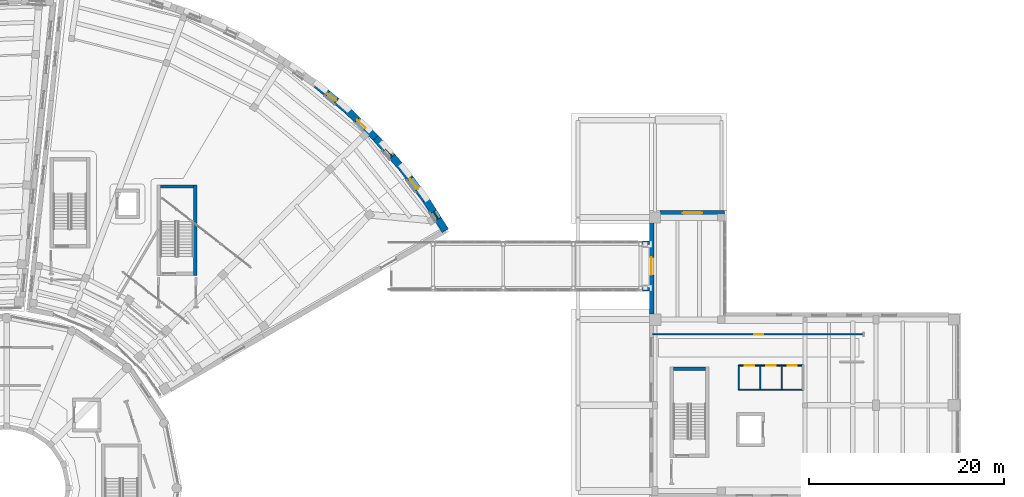
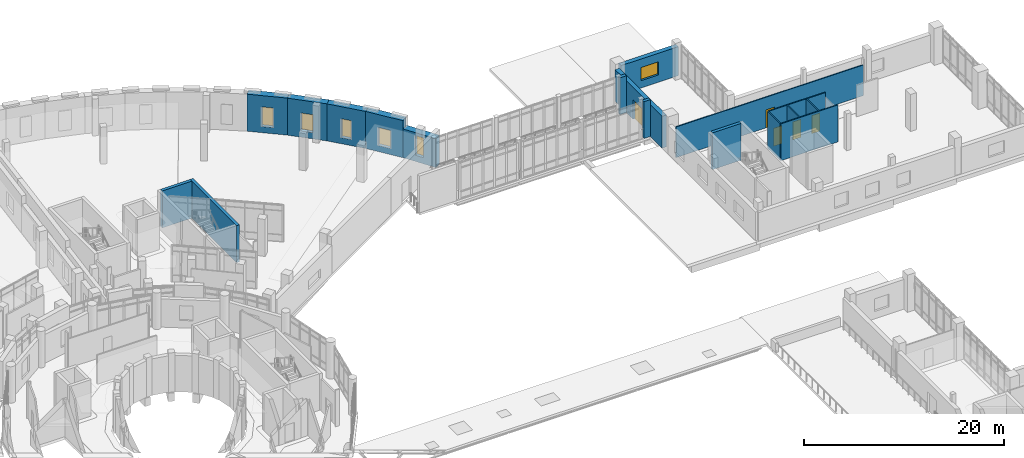
# One storey, part 58 of 75: 18 walls, 6 windows, 5 doors, 11 openings.
"""IFC4 building model written with IfcOpenShell, lengths in metres."""

from ifc_helpers import new_model, si_unit, direction, frame, frame_2d, origin, place, context, subcontext, project, spatial, rectangle, extrude, material, layer, layer_set, type_object, element, fill, save


model = new_model("IFC4")

# Units and contexts
model_context = context("Model", 3, precision=1e-05, world=origin(), true_north=direction((0.0, 1.0)))
body_context = subcontext(model_context, "Body", "Model", "MODEL_VIEW")
ifc_project = project(units=[si_unit("LENGTHUNIT", "METRE"), si_unit("AREAUNIT", "SQUARE_METRE"), si_unit("VOLUMEUNIT", "CUBIC_METRE"), si_unit("PLANEANGLEUNIT", "RADIAN"), si_unit("MASSUNIT", "GRAM", prefix="KILO")], contexts=[model_context])

# Site, building, storey
site_placement = place(None, origin())
site = spatial("IfcSite", under=ifc_project, at=site_placement, CompositionType="ELEMENT")
building_placement = place(site_placement, origin())
building = spatial("IfcBuilding", under=site, at=building_placement, Name="Soyqirgoq Riverine Aquarium", CompositionType="ELEMENT")
storey_placement = place(building_placement, frame((0.0, 0.0, 10.199951171875)))
storey = spatial("IfcBuildingStorey", under=building, at=storey_placement, Name="L03", CompositionType="ELEMENT", Elevation=10.199951171875)

# Walls
ifc_material_1 = material(Name="Insulated composite rainscreen panel", Category="steel")
ifc_layer_1 = layer(ifc_material_1, 0.360107421875)
ifc_layer_set_1 = layer_set([ifc_layer_1], Name="Insulated composite rainscreen panel")
wall_type_1 = type_object("IfcWallType", Name="BridgeSpandrelWall_360", PredefinedType="SOLIDWALL", material=ifc_layer_set_1)
for number, where, z_axis, x_axis, name in (
    (1, (121.280029296875, 77.39990234375, 0.0), (0.0, 0.0, 1.0), (1.0, 0.0, 0.0), "BR-2 L03 Exterior Travertine Wall 0405"),
    (2, (121.280029296875, 82.199951171875, 0.0), (0.0, 0.0, 1.0), (1.0, 0.0, 0.0), "BR-2 L03 Exterior Travertine Wall 0406"),
):
    element("IfcWall", number, at=place(storey_placement, frame(where, z_axis=z_axis, x_axis=x_axis)), inside=storey, type_object=wall_type_1, Name=name, PredefinedType="SOLIDWALL", context=body_context, shape_type="SweptSolid", body=[
        extrude(rectangle(XDim=0.719970703125, YDim=0.360107421875, at=frame_2d((0.35986328125, 0.0))), origin(), (0.0, 0.0, 1.0), 4.5),
    ])
ifc_material_2 = material(Name="Concrete C40/50", Category="concrete")
ifc_layer_2 = layer(ifc_material_2, 0.35009765625)
ifc_layer_set_2 = layer_set([ifc_layer_2], Name="Concrete C40/50")
wall_type_2 = type_object("IfcWallType", Name="CoreShearWall_350_C40", PredefinedType="SHEAR", material=ifc_layer_set_2)
wall_1_placement = place(storey_placement, frame((75.375, 78.85009765625, 0.0), z_axis=(0.0, 0.0, 1.0), x_axis=(0.0, 1.0, 0.0)))
element("IfcWall", 3, at=wall_1_placement, inside=storey, type_object=wall_type_2, Name="CORE-5B L03 Stair Core Shear Wall SIDE1", PredefinedType="SHEAR", context=body_context, shape_type="SweptSolid", body=[
    extrude(rectangle(XDim=9.2998046875, YDim=0.35009765625, at=frame_2d((4.64990234375, 0.0))), origin(), (0.0, 0.0, 1.0), 4.52001953125),
])
wall_2_placement = place(storey_placement, frame((75.199951171875, 87.97509765625, 0.0), z_axis=(0.0, 0.0, 1.0), x_axis=(-1.0, 0.0, 0.0)))
element("IfcWall", 4, at=wall_2_placement, inside=storey, type_object=wall_type_2, Name="CORE-5B L03 Stair Core Shear Wall BACK", PredefinedType="SHEAR", context=body_context, shape_type="SweptSolid", body=[
    extrude(rectangle(XDim=3.39990234375, YDim=0.35009765625, at=frame_2d((1.699951171875, 0.0))), origin(), (0.0, 0.0, 1.0), 4.52001953125),
])
wall_3_placement = place(storey_placement, frame((127.800048828125, 69.27490234375, 0.0), z_axis=(0.0, 0.0, 1.0), x_axis=(-1.0, 0.0, 0.0)))
element("IfcWall", 5, at=wall_3_placement, inside=storey, type_object=wall_type_2, Name="CORE-7 L03 Stair Core Shear Wall BACK", PredefinedType="SHEAR", context=body_context, shape_type="SweptSolid", body=[
    extrude(rectangle(XDim=3.300048828125, YDim=0.35009765625, at=frame_2d((1.64990234375, 0.0))), origin(), (0.0, 0.0, 1.0), 4.5),
])

# Wall, opening, door
ifc_material_3 = material(Name="Lightweight steel-stud gypsum partition", Category="steel")
ifc_layer_3 = layer(ifc_material_3, 0.1201171875)
ifc_layer_set_3 = layer_set([ifc_layer_3], Name="Lightweight steel-stud gypsum partition")
wall_type_3 = type_object("IfcWallType", Name="PartitionWall_120_Std", PredefinedType="PARTITIONING", material=ifc_layer_set_3)
wall_4_placement = place(storey_placement, frame((144.0, 72.800048828125, 0.0), z_axis=(0.0, 0.0, 1.0), x_axis=(-1.0, 0.0, 0.0)))
wall_4 = element("IfcWall", 6, at=wall_4_placement, inside=storey, type_object=wall_type_3, Name="Veterinary Bridge Foyer Corridor Partition Wall", PredefinedType="PARTITIONING", context=body_context, shape_type="SweptSolid", body=[
    extrude(rectangle(XDim=21.6298828125, YDim=0.1201171875, at=frame_2d((10.81494140625, 0.0))), origin(), (0.0, 0.0, 1.0), 3.739990234375),
])
opening_1_placement = place(wall_4_placement, frame((10.27490234375, 0.0, 0.0)))
opening_1 = element("IfcOpeningElement", 7, at=opening_1_placement, cuts=wall_4, Name="Opening ID-06", PredefinedType="OPENING", context=body_context, shape_type="SweptSolid", body=[
    extrude(rectangle(XDim=0.949951171875, YDim=2.199951171875, at=frame_2d((0.47509765625, 1.10009765625))), frame((0.0, 0.070068359375, 0.0), z_axis=(0.0, -1.0, 0.0), x_axis=(1.0, 0.0, 0.0)), (0.0, 0.0, 1.0), 0.14013671875),
])
ifc_material_4 = material(Name="Moisture-resistant HPL washroom door", Category="wood")
door_type_1 = type_object("IfcDoorType", Name="WCDoor_950x2200", OperationType="NOTDEFINED", PredefinedType="DOOR", material=ifc_material_4)
door_1_placement = place(opening_1_placement, origin())
door_1 = element("IfcDoor", 8, at=door_1_placement, inside=storey, type_object=door_type_1, Name="IDR-V7-L03-0237 Veterinary Bridge Foyer Corridor Access Door", OperationType="SINGLE_SWING_RIGHT", OverallHeight=2.199951171875, OverallWidth=0.949951171875, PredefinedType="DOOR", context=body_context, shape_type="SweptSolid", body=[
    extrude(rectangle(XDim=0.949951171875, YDim=2.199951171875, at=frame_2d((0.47509765625, 1.10009765625))), frame((0.0, 0.02490234375, 0.0), z_axis=(0.0, -1.0, 0.0), x_axis=(1.0, 0.0, 0.0)), (0.0, 0.0, 1.0), 0.050048828125),
])
fill(opening_1, door_1)

# Wall, openings, doors
ifc_material_5 = material(Name="Moisture-resistant cement-board wet-room partition", Category="gypsum")
ifc_layer_4 = layer(ifc_material_5, 0.125)
ifc_layer_set_4 = layer_set([ifc_layer_4], Name="Moisture-resistant cement-board wet-room partition")
wall_type_4 = type_object("IfcWallType", Name="PartitionWall_125_Wet", PredefinedType="PARTITIONING", material=ifc_layer_set_4)
wall_5_placement = place(storey_placement, frame((131.199951171875, 69.60009765625, 0.0), z_axis=(0.0, 0.0, 1.0), x_axis=(1.0, 0.0, 0.0)))
wall_5 = element("IfcWall", 9, at=wall_5_placement, inside=storey, type_object=wall_type_4, Name="V7 L03 WC Suite Front Wall", PredefinedType="PARTITIONING", context=body_context, shape_type="SweptSolid", body=[
    extrude(rectangle(XDim=6.60009765625, YDim=0.125, at=frame_2d((3.300048828125, 0.0))), origin(), (0.0, 0.0, 1.0), 4.5),
])
opening_2_placement = place(wall_5_placement, frame((0.60009765625, 0.0, 0.0)))
opening_2 = element("IfcOpeningElement", 10, at=opening_2_placement, cuts=wall_5, Name="Opening ID-05", PredefinedType="OPENING", context=body_context, shape_type="SweptSolid", body=[
    extrude(rectangle(XDim=1.0, YDim=2.199951171875, at=frame_2d((0.5, 1.10009765625))), frame((0.0, 0.072509765625, 0.0), z_axis=(0.0, -1.0, 0.0), x_axis=(1.0, 0.0, 0.0)), (0.0, 0.0, 1.0), 0.14501953125),
])
opening_3_placement = place(wall_5_placement, frame((2.824951171875, 0.0, 0.0)))
opening_3 = element("IfcOpeningElement", 11, at=opening_3_placement, cuts=wall_5, Name="Opening ID-06", PredefinedType="OPENING", context=body_context, shape_type="SweptSolid", body=[
    extrude(rectangle(XDim=0.949951171875, YDim=2.199951171875, at=frame_2d((0.47509765625, 1.10009765625))), frame((0.0, 0.072509765625, 0.0), z_axis=(0.0, -1.0, 0.0), x_axis=(1.0, 0.0, 0.0)), (0.0, 0.0, 1.0), 0.14501953125),
])
opening_4_placement = place(wall_5_placement, frame((5.02490234375, 0.0, 0.0)))
opening_4 = element("IfcOpeningElement", 12, at=opening_4_placement, cuts=wall_5, Name="Opening ID-06", PredefinedType="OPENING", context=body_context, shape_type="SweptSolid", body=[
    extrude(rectangle(XDim=0.949951171875, YDim=2.199951171875, at=frame_2d((0.47509765625, 1.10009765625))), frame((0.0, 0.072509765625, 0.0), z_axis=(0.0, -1.0, 0.0), x_axis=(1.0, 0.0, 0.0)), (0.0, 0.0, 1.0), 0.14501953125),
])
ifc_material_6 = material(Name="Moisture-resistant HPL accessible washroom door", Category="wood")
door_type_2 = type_object("IfcDoorType", Name="AccessibleWCDoor_1000x2200", OperationType="NOTDEFINED", PredefinedType="DOOR", material=ifc_material_6)
door_2_placement = place(opening_2_placement, origin())
door_2 = element("IfcDoor", 13, at=door_2_placement, inside=storey, type_object=door_type_2, Name="IDR-V7-L03-0233 Accessible WC Door", OperationType="SINGLE_SWING_LEFT", OverallHeight=2.199951171875, OverallWidth=1.0, PredefinedType="DOOR", context=body_context, shape_type="SweptSolid", body=[
    extrude(rectangle(XDim=1.0, YDim=2.199951171875, at=frame_2d((0.5, 1.10009765625))), frame((0.0, 0.02490234375, 0.0), z_axis=(0.0, -1.0, 0.0), x_axis=(1.0, 0.0, 0.0)), (0.0, 0.0, 1.0), 0.050048828125),
])
fill(opening_2, door_2)
door_3_placement = place(opening_3_placement, origin())
door_3 = element("IfcDoor", 14, at=door_3_placement, inside=storey, type_object=door_type_1, Name="IDR-V7-L03-0234 Public Female WC Door", OperationType="SINGLE_SWING_RIGHT", OverallHeight=2.199951171875, OverallWidth=0.949951171875, PredefinedType="DOOR", context=body_context, shape_type="SweptSolid", body=[
    extrude(rectangle(XDim=0.949951171875, YDim=2.199951171875, at=frame_2d((0.47509765625, 1.10009765625))), frame((0.0, 0.02490234375, 0.0), z_axis=(0.0, -1.0, 0.0), x_axis=(1.0, 0.0, 0.0)), (0.0, 0.0, 1.0), 0.050048828125),
])
fill(opening_3, door_3)
door_4_placement = place(opening_4_placement, origin())
door_4 = element("IfcDoor", 15, at=door_4_placement, inside=storey, type_object=door_type_1, Name="IDR-V7-L03-0235 Public Male WC Door", OperationType="SINGLE_SWING_LEFT", OverallHeight=2.199951171875, OverallWidth=0.949951171875, PredefinedType="DOOR", context=body_context, shape_type="SweptSolid", body=[
    extrude(rectangle(XDim=0.949951171875, YDim=2.199951171875, at=frame_2d((0.47509765625, 1.10009765625))), frame((0.0, 0.02490234375, 0.0), z_axis=(0.0, -1.0, 0.0), x_axis=(1.0, 0.0, 0.0)), (0.0, 0.0, 1.0), 0.050048828125),
])
fill(opening_4, door_4)

# Walls
wall_6_placement = place(storey_placement, frame((131.199951171875, 67.10009765625, 0.0), z_axis=(0.0, 0.0, 1.0), x_axis=(1.0, 0.0, 0.0)))
element("IfcWall", 16, at=wall_6_placement, inside=storey, type_object=wall_type_4, Name="V7 L03 WC Suite Back Wall", PredefinedType="PARTITIONING", context=body_context, shape_type="SweptSolid", body=[
    extrude(rectangle(XDim=6.60009765625, YDim=0.125, at=frame_2d((3.300048828125, 0.0))), origin(), (0.0, 0.0, 1.0), 4.5),
])
for number, where, z_axis, x_axis, name in (
    (17, (131.199951171875, 67.10009765625, 0.0), (0.0, 0.0, 1.0), (0.0, 1.0, 0.0), "V7 L03 WC Suite West Wall"),
    (18, (133.39990234375, 67.10009765625, 0.0), (0.0, 0.0, 1.0), (0.0, 1.0, 0.0), "V7 L03 WC Cubicle Divider 1"),
    (19, (135.60009765625, 67.10009765625, 0.0), (0.0, 0.0, 1.0), (0.0, 1.0, 0.0), "V7 L03 WC Cubicle Divider 2"),
):
    element("IfcWall", number, at=place(storey_placement, frame(where, z_axis=z_axis, x_axis=x_axis)), inside=storey, type_object=wall_type_4, Name=name, PredefinedType="PARTITIONING", context=body_context, shape_type="SweptSolid", body=[
        extrude(rectangle(XDim=2.5, YDim=0.125, at=frame_2d((1.25, 0.0))), origin(), (0.0, 0.0, 1.0), 4.5),
    ])

# Wall, opening, door
ifc_material_7 = material(Name="Honed travertine limestone cavity wall", Category="masonry")
ifc_layer_5 = layer(ifc_material_7, 0.5)
ifc_layer_set_5 = layer_set([ifc_layer_5], Name="Honed travertine limestone cavity wall")
wall_type_5 = type_object("IfcWallType", Name="TravertineCavityWall_500", PredefinedType="SOLIDWALL", material=ifc_layer_set_5)
wall_7_placement = place(storey_placement, frame((122.25, 74.8701171875, 0.0), z_axis=(0.0, 0.0, 1.0), x_axis=(0.0, 1.0, 0.0)))
wall_7 = element("IfcWall", 20, at=wall_7_placement, inside=storey, type_object=wall_type_5, Name="V7 L03 Exterior Travertine Wall 0389", PredefinedType="SOLIDWALL", context=body_context, shape_type="SweptSolid", body=[
    extrude(rectangle(XDim=9.409912109375, YDim=0.5, at=frame_2d((4.705078125, 0.0))), origin(), (0.0, 0.0, 1.0), 3.89013671875),
])
opening_5_placement = place(wall_7_placement, frame((4.030029296875, 0.0, 0.0)))
opening_5 = element("IfcOpeningElement", 21, at=opening_5_placement, cuts=wall_7, Name="Opening BD-01", PredefinedType="OPENING", context=body_context, shape_type="SweptSolid", body=[
    extrude(rectangle(XDim=1.800048828125, YDim=2.39990234375, at=frame_2d((0.89990234375, 1.199951171875))), frame((0.0, 0.260009765625, 0.0), z_axis=(0.0, -1.0, 0.0), x_axis=(1.0, 0.0, 0.0)), (0.0, 0.0, 1.0), 0.52001953125),
])
ifc_material_8 = material(Name="Thermally broken aluminium fire-rated portal door", Category="aluminium")
door_type_3 = type_object("IfcDoorType", Name="BridgePortalDoor_1800x2400", OperationType="DOUBLE_DOOR_SINGLE_SWING", PredefinedType="DOOR", material=ifc_material_8)
door_5_placement = place(opening_5_placement, origin())
door_5 = element("IfcDoor", 22, at=door_5_placement, inside=storey, type_object=door_type_3, Name="EDR-BR-2-E-038 BR-2-E Glazed Bridge Portal Fire Door", OperationType="DOUBLE_DOOR_SINGLE_SWING", OverallHeight=2.39990234375, OverallWidth=1.800048828125, PredefinedType="DOOR", context=body_context, shape_type="SweptSolid", body=[
    extrude(rectangle(XDim=1.800048828125, YDim=2.39990234375, at=frame_2d((0.89990234375, 1.199951171875))), frame((0.0, 0.02490234375, 0.0), z_axis=(0.0, -1.0, 0.0), x_axis=(1.0, 0.0, 0.0)), (0.0, 0.0, 1.0), 0.050048828125),
])
fill(opening_5, door_5)

# Wall, opening, window
wall_8_placement = place(storey_placement, frame((123.1201171875, 85.25, 0.0), z_axis=(0.0, 0.0, 1.0), x_axis=(1.0, 0.0, 0.0)))
wall_8 = element("IfcWall", 23, at=wall_8_placement, inside=storey, type_object=wall_type_5, Name="V7 L03 Exterior Travertine Wall 0390", PredefinedType="SOLIDWALL", context=body_context, shape_type="SweptSolid", body=[
    extrude(rectangle(XDim=6.6298828125, YDim=0.5, at=frame_2d((3.31494140625, 0.0))), origin(), (0.0, 0.0, 1.0), 3.5400390625),
])
opening_6_placement = place(wall_8_placement, frame((2.31494140625, 0.0, 0.89990234375)))
opening_6 = element("IfcOpeningElement", 24, at=opening_6_placement, cuts=wall_8, Name="Opening WN-07", PredefinedType="OPENING", context=body_context, shape_type="SweptSolid", body=[
    extrude(rectangle(XDim=2.0, YDim=1.60009765625, at=frame_2d((1.0, 0.800048828125))), frame((0.0, 0.260009765625, 0.0), z_axis=(0.0, -1.0, 0.0), x_axis=(1.0, 0.0, 0.0)), (0.0, 0.0, 1.0), 0.52001953125),
])
ifc_material_9 = material(Name="Thermally broken aluminium triple low-E window", Category="aluminium")
window_type_1 = type_object("IfcWindowType", Name="Win_Lab_2000x1600", PartitioningType="TRIPLE_PANEL_VERTICAL", PredefinedType="WINDOW", material=ifc_material_9)
window_1_placement = place(opening_6_placement, origin())
window_1 = element("IfcWindow", 25, at=window_1_placement, inside=storey, type_object=window_type_1, Name="V7 L03 Facade Window 0352", OverallHeight=1.60009765625, OverallWidth=2.0, PartitioningType="TRIPLE_PANEL_VERTICAL", PredefinedType="WINDOW", context=body_context, shape_type="SweptSolid", body=[
    extrude(rectangle(XDim=2.0, YDim=1.60009765625, at=frame_2d((1.0, 0.800048828125))), frame((0.0, 0.030029296875, 0.0), z_axis=(0.0, -1.0, 0.0), x_axis=(1.0, 0.0, 0.0)), (0.0, 0.0, 1.0), 0.06005859375),
])
fill(opening_6, window_1)

ifc_material_10 = material(Name="Honed travertine limestone cavity wall", Category="masonry")
ifc_layer_6 = layer(ifc_material_10, 0.75)
ifc_layer_set_6 = layer_set([ifc_layer_6], Name="Honed travertine limestone cavity wall")
wall_type_6 = type_object("IfcWallType", Name="TravertineNicheWall_750", PredefinedType="SOLIDWALL", material=ifc_layer_set_6)
wall_9_placement = place(storey_placement, frame((87.8076171875, 98.45263671875, 0.0), z_axis=(0.0, 0.0, 1.0), x_axis=(0.768825758313, -0.639458328083, 0.0)))
wall_9 = element("IfcWall", 26, at=wall_9_placement, inside=storey, type_object=wall_type_6, Name="V5 L03 Exterior Travertine Wall 0293", PredefinedType="SOLIDWALL", context=body_context, shape_type="SweptSolid", body=[
    extrude(rectangle(XDim=4.102783203125, YDim=0.75, at=frame_2d((2.05126953125, 0.0))), origin(), (0.0, 0.0, 1.0), 4.52001953125),
])
opening_7_placement = place(wall_9_placement, frame((1.501220703125, 0.0, 0.75)))
opening_7 = element("IfcOpeningElement", 27, at=opening_7_placement, cuts=wall_9, Name="Opening WN-02", PredefinedType="OPENING", context=body_context, shape_type="SweptSolid", body=[
    extrude(rectangle(XDim=1.10009765625, YDim=2.39990234375, at=frame_2d((0.550048828125, 1.199951171875))), frame((0.0, 0.385009765625, 0.0), z_axis=(0.0, -1.0, 0.0), x_axis=(1.0, 0.0, 0.0)), (0.0, 0.0, 1.0), 0.77001953125),
])
ifc_material_11 = material(Name="Thermally broken aluminium triple low-E window", Category="aluminium")
window_type_2 = type_object("IfcWindowType", Name="Win_Niche_1100x2400", PartitioningType="SINGLE_PANEL", PredefinedType="WINDOW", material=ifc_material_11)
window_2_placement = place(opening_7_placement, origin())
window_2 = element("IfcWindow", 28, at=window_2_placement, inside=storey, type_object=window_type_2, Name="V5 L03 Facade Window 0237", OverallHeight=2.39990234375, OverallWidth=1.10009765625, PartitioningType="SINGLE_PANEL", PredefinedType="WINDOW", context=body_context, shape_type="SweptSolid", body=[
    extrude(rectangle(XDim=1.10009765625, YDim=2.39990234375, at=frame_2d((0.550048828125, 1.199951171875))), frame((0.0, 0.030029296875, 0.0), z_axis=(0.0, -1.0, 0.0), x_axis=(1.0, 0.0, 0.0)), (0.0, 0.0, 1.0), 0.06005859375),
])
fill(opening_7, window_2)

wall_10_placement = place(storey_placement, frame((90.9619140625, 95.8291015625, 0.0), z_axis=(0.0, 0.0, 1.0), x_axis=(0.716299749967, -0.697792711482, 0.0)))
wall_10 = element("IfcWall", 29, at=wall_10_placement, inside=storey, type_object=wall_type_6, Name="V5 L03 Exterior Travertine Wall 0294", PredefinedType="SOLIDWALL", context=body_context, shape_type="SweptSolid", body=[
    extrude(rectangle(XDim=4.1025390625, YDim=0.75, at=frame_2d((2.05126953125, 0.0))), origin(), (0.0, 0.0, 1.0), 4.52001953125),
])
opening_8_placement = place(wall_10_placement, frame((1.451416015625, 0.0, 0.75)))
opening_8 = element("IfcOpeningElement", 30, at=opening_8_placement, cuts=wall_10, Name="Opening WN-03", PredefinedType="OPENING", context=body_context, shape_type="SweptSolid", body=[
    extrude(rectangle(XDim=1.199951171875, YDim=2.199951171875, at=frame_2d((0.60009765625, 1.10009765625))), frame((0.0, 0.385009765625, 0.0), z_axis=(0.0, -1.0, 0.0), x_axis=(1.0, 0.0, 0.0)), (0.0, 0.0, 1.0), 0.77001953125),
])
ifc_material_12 = material(Name="Thermally broken aluminium triple low-E window", Category="aluminium")
window_type_3 = type_object("IfcWindowType", Name="Win_Niche_1200x2200", PartitioningType="DOUBLE_PANEL_VERTICAL", PredefinedType="WINDOW", material=ifc_material_12)
window_3_placement = place(opening_8_placement, origin())
window_3 = element("IfcWindow", 31, at=window_3_placement, inside=storey, type_object=window_type_3, Name="V5 L03 Facade Window 0238", OverallHeight=2.199951171875, OverallWidth=1.199951171875, PartitioningType="DOUBLE_PANEL_VERTICAL", PredefinedType="WINDOW", context=body_context, shape_type="SweptSolid", body=[
    extrude(rectangle(XDim=1.199951171875, YDim=2.199951171875, at=frame_2d((0.60009765625, 1.10009765625))), frame((0.0, 0.030029296875, 0.0), z_axis=(0.0, -1.0, 0.0), x_axis=(1.0, 0.0, 0.0)), (0.0, 0.0, 1.0), 0.06005859375),
])
fill(opening_8, window_3)

wall_11_placement = place(storey_placement, frame((93.900634765625, 92.96630859375, 0.0), z_axis=(0.0, 0.0, 1.0), x_axis=(0.659355212384, -0.751831566178, 0.0)))
wall_11 = element("IfcWall", 32, at=wall_11_placement, inside=storey, type_object=wall_type_6, Name="V5 L03 Exterior Travertine Wall 0295", PredefinedType="SOLIDWALL", context=body_context, shape_type="SweptSolid", body=[
    extrude(rectangle(XDim=4.1025390625, YDim=0.75, at=frame_2d((2.05126953125, 0.0))), origin(), (0.0, 0.0, 1.0), 4.52001953125),
])
opening_9_placement = place(wall_11_placement, frame((1.551513671875, 0.0, 0.75)))
opening_9 = element("IfcOpeningElement", 33, at=opening_9_placement, cuts=wall_11, Name="Opening WN-11", PredefinedType="OPENING", context=body_context, shape_type="SweptSolid", body=[
    extrude(rectangle(XDim=1.0, YDim=2.300048828125, at=frame_2d((0.5, 1.14990234375))), frame((0.0, 0.385009765625, 0.0), z_axis=(0.0, -1.0, 0.0), x_axis=(1.0, 0.0, 0.0)), (0.0, 0.0, 1.0), 0.77001953125),
])
ifc_material_13 = material(Name="Thermally broken aluminium triple low-E window", Category="aluminium")
window_type_4 = type_object("IfcWindowType", Name="Win_Niche_1000x2300", PartitioningType="SINGLE_PANEL", PredefinedType="WINDOW", material=ifc_material_13)
window_4_placement = place(opening_9_placement, origin())
window_4 = element("IfcWindow", 34, at=window_4_placement, inside=storey, type_object=window_type_4, Name="V5 L03 Facade Window 0239", OverallHeight=2.300048828125, OverallWidth=1.0, PartitioningType="SINGLE_PANEL", PredefinedType="WINDOW", context=body_context, shape_type="SweptSolid", body=[
    extrude(rectangle(XDim=1.0, YDim=2.300048828125, at=frame_2d((0.5, 1.14990234375))), frame((0.0, 0.030029296875, 0.0), z_axis=(0.0, -1.0, 0.0), x_axis=(1.0, 0.0, 0.0)), (0.0, 0.0, 1.0), 0.06005859375),
])
fill(opening_9, window_4)

wall_12_placement = place(storey_placement, frame((96.605712890625, 89.8818359375, 0.0), z_axis=(0.0, 0.0, 1.0), x_axis=(0.598294326762, -0.801276418326, 0.0)))
wall_12 = element("IfcWall", 35, at=wall_12_placement, inside=storey, type_object=wall_type_6, Name="V5 L03 Exterior Travertine Wall 0296", PredefinedType="SOLIDWALL", context=body_context, shape_type="SweptSolid", body=[
    extrude(rectangle(XDim=4.1025390625, YDim=0.75, at=frame_2d((2.05126953125, 0.0))), origin(), (0.0, 0.0, 1.0), 4.52001953125),
])
opening_10_placement = place(wall_12_placement, frame((1.4013671875, 0.0, 0.75)))
opening_10 = element("IfcOpeningElement", 36, at=opening_10_placement, cuts=wall_12, Name="Opening WN-12", PredefinedType="OPENING", context=body_context, shape_type="SweptSolid", body=[
    extrude(rectangle(XDim=1.300048828125, YDim=2.199951171875, at=frame_2d((0.64990234375, 1.10009765625))), frame((0.0, 0.385009765625, 0.0), z_axis=(0.0, -1.0, 0.0), x_axis=(1.0, 0.0, 0.0)), (0.0, 0.0, 1.0), 0.77001953125),
])
ifc_material_14 = material(Name="Thermally broken aluminium triple low-E window", Category="aluminium")
window_type_5 = type_object("IfcWindowType", Name="Win_Niche_1300x2200", PartitioningType="DOUBLE_PANEL_VERTICAL", PredefinedType="WINDOW", material=ifc_material_14)
window_5_placement = place(opening_10_placement, origin())
window_5 = element("IfcWindow", 37, at=window_5_placement, inside=storey, type_object=window_type_5, Name="V5 L03 Facade Window 0240", OverallHeight=2.199951171875, OverallWidth=1.300048828125, PartitioningType="DOUBLE_PANEL_VERTICAL", PredefinedType="WINDOW", context=body_context, shape_type="SweptSolid", body=[
    extrude(rectangle(XDim=1.300048828125, YDim=2.199951171875, at=frame_2d((0.64990234375, 1.10009765625))), frame((0.0, 0.030029296875, 0.0), z_axis=(0.0, -1.0, 0.0), x_axis=(1.0, 0.0, 0.0)), (0.0, 0.0, 1.0), 0.06005859375),
])
fill(opening_10, window_5)

wall_13_placement = place(storey_placement, frame((99.060302734375, 86.594482421875, 0.0), z_axis=(0.0, 0.0, 1.0), x_axis=(0.533659130214, -0.845699670533, 0.0)))
wall_13 = element("IfcWall", 38, at=wall_13_placement, inside=storey, type_object=wall_type_6, Name="V5 L03 Exterior Travertine Wall 0297", PredefinedType="SOLIDWALL", context=body_context, shape_type="SweptSolid", body=[
    extrude(rectangle(XDim=3.7421875, YDim=0.75, at=frame_2d((1.87109375, 0.0))), origin(), (0.0, 0.0, 1.0), 3.510009765625),
])
opening_11_placement = place(wall_13_placement, frame((1.421142578125, 0.0, 0.75)))
opening_11 = element("IfcOpeningElement", 39, at=opening_11_placement, cuts=wall_13, Name="Opening WN-01", PredefinedType="OPENING", context=body_context, shape_type="SweptSolid", body=[
    extrude(rectangle(XDim=0.89990234375, YDim=2.39990234375, at=frame_2d((0.449951171875, 1.199951171875))), frame((0.0, 0.385009765625, 0.0), z_axis=(0.0, -1.0, 0.0), x_axis=(1.0, 0.0, 0.0)), (0.0, 0.0, 1.0), 0.77001953125),
])
ifc_material_15 = material(Name="Thermally broken aluminium triple low-E window", Category="aluminium")
window_type_6 = type_object("IfcWindowType", Name="Win_Niche_900x2400", PartitioningType="SINGLE_PANEL", PredefinedType="WINDOW", material=ifc_material_15)
window_6_placement = place(opening_11_placement, origin())
window_6 = element("IfcWindow", 40, at=window_6_placement, inside=storey, type_object=window_type_6, Name="V5 L03 Facade Window 0241", OverallHeight=2.39990234375, OverallWidth=0.89990234375, PartitioningType="SINGLE_PANEL", PredefinedType="WINDOW", context=body_context, shape_type="SweptSolid", body=[
    extrude(rectangle(XDim=0.89990234375, YDim=2.39990234375, at=frame_2d((0.449951171875, 1.199951171875))), frame((0.0, 0.030029296875, 0.0), z_axis=(0.0, -1.0, 0.0), x_axis=(1.0, 0.0, 0.0)), (0.0, 0.0, 1.0), 0.06005859375),
])
fill(opening_11, window_6)

save(model, "model.ifc")
